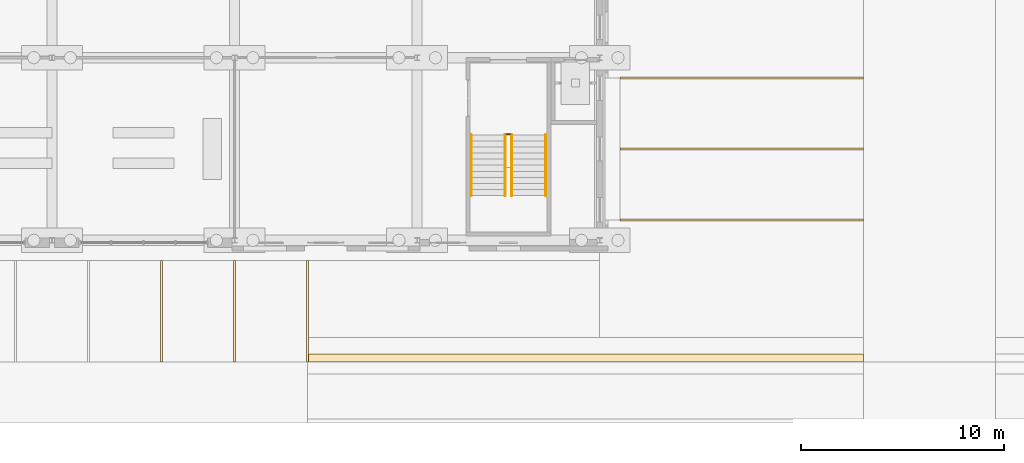
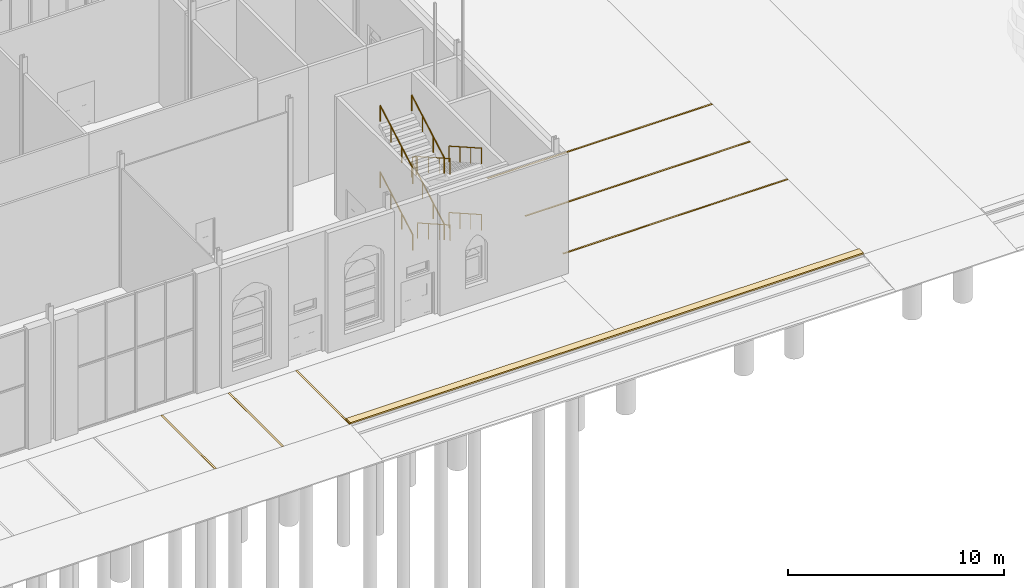
# One storey, part 184 of 250: 9 railings, 7 coverings.
"""IFC4 building model written with IfcOpenShell, lengths in metres."""

from ifc_helpers import new_model, si_unit, direction, frame, origin, origin_2d, place, context, subcontext, project, spatial, polyline, circle, outline, extrude, material, layer, layer_set, type_object, element, save


model = new_model("IFC4")

# Units and contexts
model_context = context("Model", 3, precision=1e-05, world=origin(), true_north=direction((0.0, 1.0)))
body_context = subcontext(model_context, "Body", "Model", "MODEL_VIEW")
ifc_project = project(units=[si_unit("LENGTHUNIT", "METRE"), si_unit("AREAUNIT", "SQUARE_METRE"), si_unit("VOLUMEUNIT", "CUBIC_METRE"), si_unit("PLANEANGLEUNIT", "RADIAN"), si_unit("MASSUNIT", "GRAM", prefix="KILO")], contexts=[model_context])

# Site, building, storey
site_placement = place(None, origin())
site = spatial("IfcSite", under=ifc_project, at=site_placement, CompositionType="ELEMENT")
building_placement = place(site_placement, origin())
building = spatial("IfcBuilding", under=site, at=building_placement, Name="Baradari Gate Terminus", CompositionType="ELEMENT")
storey_placement = place(building_placement, origin())
storey = spatial("IfcBuildingStorey", under=building, at=storey_placement, Name="L00", CompositionType="ELEMENT", Elevation=0.0)

# Coverings
ifc_material_1 = material(Name="Road marking paint, white")
ifc_layer_1 = layer(ifc_material_1, 0.0048828125)
ifc_layer_set_1 = layer_set([ifc_layer_1], Name="Road marking paint, white")
covering_type_1 = type_object("IfcCoveringType", Name="Bay line RM-1 5", PredefinedType="USERDEFINED", material=ifc_layer_set_1)
covering_1_placement = place(storey_placement, origin())
element("IfcCovering", 1, at=covering_1_placement, inside=storey, type_object=covering_type_1, Name="Bay line AP 5", ObjectType="ROAD MARKING", PredefinedType="USERDEFINED", context=body_context, shape_type="SweptSolid", body=[
    extrude(outline(polyline([(131.35009765625, 8.0), (131.35009765625, 3.0), (131.449951171875, 3.0), (131.449951171875, 8.0), (131.35009765625, 8.0)])), origin(), (0.0, 0.0, 1.0), 0.0048828125),
])
covering_2_placement = place(storey_placement, origin())
element("IfcCovering", 2, at=covering_2_placement, inside=storey, type_object=covering_type_1, Name="Bay line AP 6", ObjectType="ROAD MARKING", PredefinedType="USERDEFINED", context=body_context, shape_type="SweptSolid", body=[
    extrude(outline(polyline([(134.949951171875, 8.0), (134.949951171875, 3.0), (135.050048828125, 3.0), (135.050048828125, 8.0), (134.949951171875, 8.0)])), origin(), (0.0, 0.0, 1.0), 0.0048828125),
])
covering_3_placement = place(storey_placement, origin())
element("IfcCovering", 3, at=covering_3_placement, inside=storey, type_object=covering_type_1, Name="Bay line AP 7", ObjectType="ROAD MARKING", PredefinedType="USERDEFINED", context=body_context, shape_type="SweptSolid", body=[
    extrude(outline(polyline([(138.550048828125, 8.0), (138.550048828125, 3.0), (138.64990234375, 3.0), (138.64990234375, 8.0), (138.550048828125, 8.0)])), origin(), (0.0, 0.0, 1.0), 0.0048828125),
])
covering_4_placement = place(storey_placement, origin())
element("IfcCovering", 4, at=covering_4_placement, inside=storey, type_object=covering_type_1, Name="Bay line SV 1", ObjectType="ROAD MARKING", PredefinedType="USERDEFINED", context=body_context, shape_type="SweptSolid", body=[
    extrude(outline(polyline([(154.0, 9.949951171875), (166.0, 9.949951171875), (166.0, 10.050048828125), (154.0, 10.050048828125), (154.0, 9.949951171875)])), origin(), (0.0, 0.0, 1.0), 0.0048828125),
])
covering_5_placement = place(storey_placement, origin())
element("IfcCovering", 5, at=covering_5_placement, inside=storey, type_object=covering_type_1, Name="Bay line SV 2", ObjectType="ROAD MARKING", PredefinedType="USERDEFINED", context=body_context, shape_type="SweptSolid", body=[
    extrude(outline(polyline([(154.0, 13.449951171875), (166.0, 13.449951171875), (166.0, 13.550048828125), (154.0, 13.550048828125), (154.0, 13.449951171875)])), origin(), (0.0, 0.0, 1.0), 0.0048828125),
])
covering_6_placement = place(storey_placement, origin())
element("IfcCovering", 6, at=covering_6_placement, inside=storey, type_object=covering_type_1, Name="Bay line SV 3", ObjectType="ROAD MARKING", PredefinedType="USERDEFINED", context=body_context, shape_type="SweptSolid", body=[
    extrude(outline(polyline([(154.0, 16.949951171875), (166.0, 16.949951171875), (166.0, 17.050048828125), (154.0, 17.050048828125), (154.0, 16.949951171875)])), origin(), (0.0, 0.0, 1.0), 0.0048828125),
])

# Railings
ifc_material_2 = material(Name="Stainless steel 1.4301", Category="steel")
railing_type_1 = type_object("IfcRailingType", Name="Guard GR-1 1100", PredefinedType="GUARDRAIL", material=ifc_material_2)
railing_placement = place(storey_placement, frame((148.39990234375, 14.22998046875, 3.75)))
element("IfcRailing", 7, at=railing_placement, inside=storey, type_object=railing_type_1, Name="Landing guard ST-SW2 L00", PredefinedType="GUARDRAIL", context=body_context, shape_type="SweptSolid", body=[
    extrude(circle(Radius=0.02392578125, at=origin_2d()), frame((0.0, 0.0, 1.076171875), z_axis=(1.0, 0.0, 0.0), x_axis=(0.0, 1.0, 0.0)), (0.0, 0.0, 1.0), 0.2001953125),
    extrude(circle(Radius=0.02099609375, at=origin_2d()), origin(), (0.0, 0.0, 1.0), 1.052001953125),
    extrude(circle(Radius=0.02099609375, at=origin_2d()), frame((0.2001953125, 0.0, 0.0)), (0.0, 0.0, 1.0), 1.052001953125),
])
ifc_material_3 = material(Name="Stainless steel 1.4301", Category="steel")
railing_type_2 = type_object("IfcRailingType", Name="Handrail HR-1 900", PredefinedType="HANDRAIL", material=ifc_material_3)
for number, where, name in (
    (8, (150.340087890625, 14.199951171875, 0.17041015625), "Handrail ST-SW2 L00 flight 1"),
    (9, (148.659912109375, 14.199951171875, 0.17041015625), "Handrail ST-SW2 L00 flight 1"),
):
    element("IfcRailing", number, at=place(storey_placement, frame(where)), inside=storey, type_object=railing_type_2, Name=name, PredefinedType="HANDRAIL", context=body_context, shape_type="SweptSolid", body=[
        extrude(circle(Radius=0.02392578125, at=origin_2d()), frame((0.0, 0.0, 0.8759765625), z_axis=(0.0, -0.869451031676, 0.494019132744), x_axis=(1.0, 0.0, 0.0)), (0.0, 0.0, 1.0), 3.450439453125),
        extrude(circle(Radius=0.02099609375, at=origin_2d()), origin(), (0.0, 0.0, 1.0), 0.851806640625),
        extrude(circle(Radius=0.02099609375, at=origin_2d()), frame((0.0, -1.0, 0.568115234375)), (0.0, 0.0, 1.0), 0.851806640625),
        extrude(circle(Radius=0.02099609375, at=origin_2d()), frame((0.0, -2.0, 1.136474609375)), (0.0, 0.0, 1.0), 0.851806640625),
        extrude(circle(Radius=0.02099609375, at=origin_2d()), frame((0.0, -3.0, 1.70458984375)), (0.0, 0.0, 1.0), 0.851806640625),
    ])
for number, where, name in (
    (10, (148.340087890625, 11.199951171875, 2.04541015625), "Handrail ST-SW2 L00 flight 2"),
    (11, (146.659912109375, 11.199951171875, 2.04541015625), "Handrail ST-SW2 L00 flight 2"),
):
    element("IfcRailing", number, at=place(storey_placement, frame(where)), inside=storey, type_object=railing_type_2, Name=name, PredefinedType="HANDRAIL", context=body_context, shape_type="SweptSolid", body=[
        extrude(circle(Radius=0.02392578125, at=origin_2d()), frame((0.0, 0.0, 0.8759765625), z_axis=(0.0, 0.869451031676, 0.494019132744), x_axis=(-1.0, 0.0, 0.0)), (0.0, 0.0, 1.0), 3.450439453125),
        extrude(circle(Radius=0.02099609375, at=origin_2d()), origin(), (0.0, 0.0, 1.0), 0.851806640625),
        extrude(circle(Radius=0.02099609375, at=origin_2d()), frame((0.0, 1.0, 0.568115234375)), (0.0, 0.0, 1.0), 0.851806640625),
        extrude(circle(Radius=0.02099609375, at=origin_2d()), frame((0.0, 2.0, 1.136474609375)), (0.0, 0.0, 1.0), 0.851806640625),
        extrude(circle(Radius=0.02099609375, at=origin_2d()), frame((0.0, 3.0, 1.70458984375)), (0.0, 0.0, 1.0), 0.851806640625),
    ])
for number, where, name in (
    (12, (150.340087890625, 14.199951171875, 3.92041015625), "Handrail ST-SW2 L00 flight 3"),
    (13, (148.659912109375, 14.199951171875, 3.92041015625), "Handrail ST-SW2 L00 flight 3"),
):
    element("IfcRailing", number, at=place(storey_placement, frame(where)), inside=storey, type_object=railing_type_2, Name=name, PredefinedType="HANDRAIL", context=body_context, shape_type="SweptSolid", body=[
        extrude(circle(Radius=0.02392578125, at=origin_2d()), frame((0.0, 0.0, 0.8759765625), z_axis=(0.0, -0.869451031676, 0.494019132744), x_axis=(1.0, 0.0, 0.0)), (0.0, 0.0, 1.0), 3.450439453125),
        extrude(circle(Radius=0.02099609375, at=origin_2d()), origin(), (0.0, 0.0, 1.0), 0.851806640625),
        extrude(circle(Radius=0.02099609375, at=origin_2d()), frame((0.0, -1.0, 0.568115234375)), (0.0, 0.0, 1.0), 0.851806640625),
        extrude(circle(Radius=0.02099609375, at=origin_2d()), frame((0.0, -2.0, 1.136474609375)), (0.0, 0.0, 1.0), 0.851806640625),
        extrude(circle(Radius=0.02099609375, at=origin_2d()), frame((0.0, -3.0, 1.70458984375)), (0.0, 0.0, 1.0), 0.851806640625),
    ])
for number, where, name in (
    (14, (148.340087890625, 11.199951171875, 5.79541015625), "Handrail ST-SW2 L00 flight 4"),
    (15, (146.659912109375, 11.199951171875, 5.79541015625), "Handrail ST-SW2 L00 flight 4"),
):
    element("IfcRailing", number, at=place(storey_placement, frame(where)), inside=storey, type_object=railing_type_2, Name=name, PredefinedType="HANDRAIL", context=body_context, shape_type="SweptSolid", body=[
        extrude(circle(Radius=0.02392578125, at=origin_2d()), frame((0.0, 0.0, 0.8759765625), z_axis=(0.0, 0.869451031676, 0.494019132744), x_axis=(-1.0, 0.0, 0.0)), (0.0, 0.0, 1.0), 3.450439453125),
        extrude(circle(Radius=0.02099609375, at=origin_2d()), origin(), (0.0, 0.0, 1.0), 0.851806640625),
        extrude(circle(Radius=0.02099609375, at=origin_2d()), frame((0.0, 1.0, 0.568115234375)), (0.0, 0.0, 1.0), 0.851806640625),
        extrude(circle(Radius=0.02099609375, at=origin_2d()), frame((0.0, 2.0, 1.136474609375)), (0.0, 0.0, 1.0), 0.851806640625),
        extrude(circle(Radius=0.02099609375, at=origin_2d()), frame((0.0, 3.0, 1.70458984375)), (0.0, 0.0, 1.0), 0.851806640625),
    ])

# Covering
ifc_material_4 = material(Name="Sandstone", Category="masonry")
ifc_layer_2 = layer(ifc_material_4, 0.080078125)
ifc_layer_set_2 = layer_set([ifc_layer_2], Name="Sandstone")
covering_type_2 = type_object("IfcCoveringType", Name="Stone coping CG-1 80", PredefinedType="CLADDING", material=ifc_layer_set_2)
covering_7_placement = place(storey_placement, origin())
element("IfcCovering", 16, at=covering_7_placement, inside=storey, type_object=covering_type_2, Name="Stone coping S3", PredefinedType="CLADDING", context=body_context, shape_type="SweptSolid", body=[
    extrude(outline(polyline([(166.0, 3.0), (166.0, 3.39990234375), (138.60009765625, 3.39990234375), (138.60009765625, 3.0), (166.0, 3.0)])), origin(), (0.0, 0.0, 1.0), 0.080078125),
])

save(model, "model.ifc")
